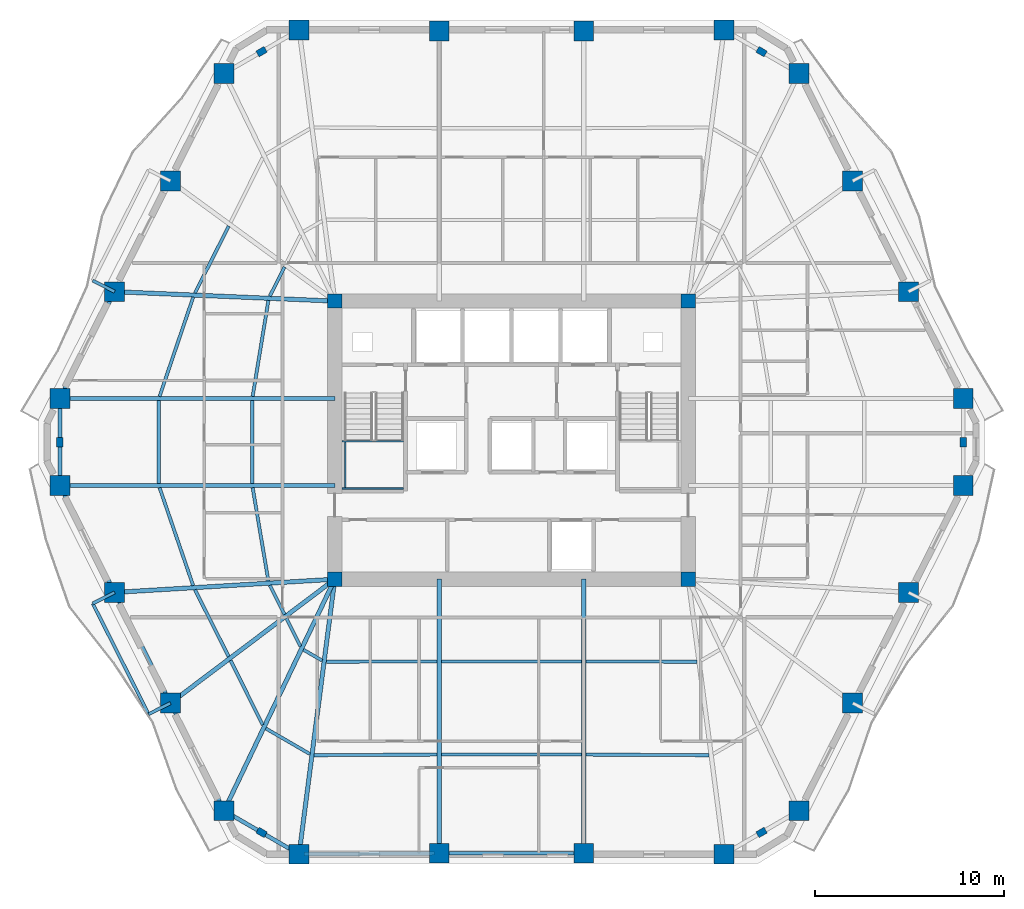
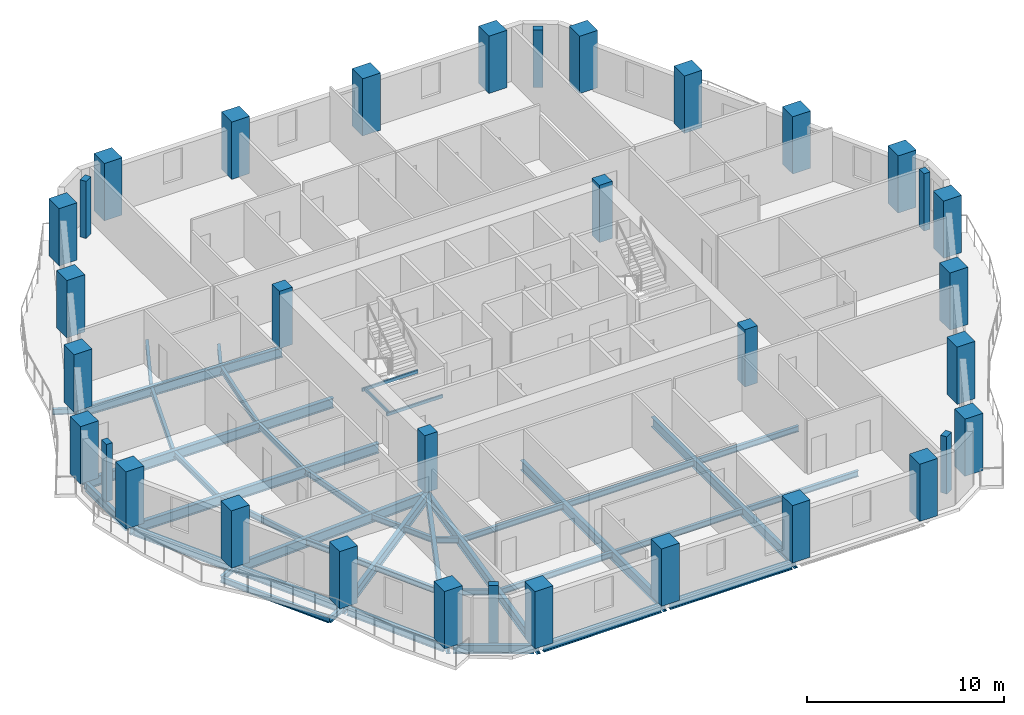
# One storey, part 1 of 11: 44 beams, 34 columns.
"""IFC4 building model written with IfcOpenShell, lengths in metres."""

import ifcopenshell
import ifcopenshell.guid

model = None  # the IFC model being written
_history = None  # IfcOwnerHistory: only IFC2X3 demands one
_inside = {}  # id of a spatial element -> (the spatial element, [elements in it])
_under = {}  # id of a project, library or spatial element -> (it, [spatial elements below it])
_declared = {}  # id of a project -> (the project, [libraries it declares])
_typed = {}  # id of a type object -> (the type object, [elements of that type])
_made_of = {}  # id of a material, layer set ... -> (it, [elements and type objects made of it])


def new_model(schema):
    """Start an empty IFC model of exactly this schema.

    Asked for "IFC4X3", IfcOpenShell would pick the latest addendum, in which some entities
    have other attributes; the version numbers below select the first issue.
    IFC2X3 requires an IfcOwnerHistory on every rooted entity: one is made here for all.
    """
    global model, _history
    if schema == "IFC4X3":
        model = ifcopenshell.file(schema_version=(4, 3, 0, 0))
    else:
        model = ifcopenshell.file(schema=schema)
    _inside.clear()
    _under.clear()
    _declared.clear()
    _typed.clear()
    _made_of.clear()
    _history = None
    if model.schema == "IFC2X3":
        org = make("IfcOrganization", Name="unknown")
        user = make(
            "IfcPersonAndOrganization",
            ThePerson=make("IfcPerson", FamilyName="unknown"),
            TheOrganization=org,
        )
        app = make(
            "IfcApplication",
            ApplicationDeveloper=org,
            Version="unknown",
            ApplicationFullName="unknown",
            ApplicationIdentifier="unknown",
        )
        _history = make(
            "IfcOwnerHistory",
            OwningUser=user,
            OwningApplication=app,
            ChangeAction="ADDED",
            CreationDate=0,
        )
    return model


def make(cls, **values):
    """One entity of the class cls with the attributes given. An attribute that is None is left unset."""
    return model.create_entity(
        cls, **{name: value for name, value in values.items() if value is not None}
    )


def rooted(cls, **values):
    """An entity with a GlobalId (a new one), such as an element, a storey or a relation."""
    return make(cls, GlobalId=ifcopenshell.guid.new(), OwnerHistory=_history, **values)


def si_unit(unit_type, name, prefix=None):
    """IfcSIUnit, for example si_unit("LENGTHUNIT", "METRE", prefix="MILLI")."""
    return make("IfcSIUnit", UnitType=unit_type, Prefix=prefix, Name=name)


def assignment(units):
    """IfcUnitAssignment: the units of a project."""
    return None if units is None else make("IfcUnitAssignment", Units=units)


def point(xyz):
    """IfcCartesianPoint."""
    return None if xyz is None else make("IfcCartesianPoint", Coordinates=xyz)


def direction(xyz):
    """IfcDirection."""
    return None if xyz is None else make("IfcDirection", DirectionRatios=xyz)


def frame(location, z_axis=None, x_axis=None):
    """IfcAxis2Placement3D, a coordinate frame: its origin and axes. An axis left out is left unset."""
    return make(
        "IfcAxis2Placement3D",
        Location=point(location),
        Axis=direction(z_axis),
        RefDirection=direction(x_axis),
    )


def frame_2d(location, x_axis=None):
    """IfcAxis2Placement2D, a coordinate frame in the plane: its origin and x axis."""
    return make(
        "IfcAxis2Placement2D", Location=point(location), RefDirection=direction(x_axis)
    )


def origin():
    """The frame at (0, 0, 0) with its axes left unset."""
    return frame((0.0, 0.0, 0.0))


def origin_2d():
    """The frame at (0, 0) in the plane with its x axis left unset."""
    return frame_2d((0.0, 0.0))


def place(relative_to, where):
    """IfcLocalPlacement: puts the frame where relative to a parent placement (None: the world)."""
    return make(
        "IfcLocalPlacement", PlacementRelTo=relative_to, RelativePlacement=where
    )


def context(
    kind, dimensions, precision=None, world=None, true_north=None, identifier=None
):
    """IfcGeometricRepresentationContext, for example the 3D "Model" context."""
    return make(
        "IfcGeometricRepresentationContext",
        ContextIdentifier=identifier,
        ContextType=kind,
        CoordinateSpaceDimension=dimensions,
        Precision=precision,
        WorldCoordinateSystem=world,
        TrueNorth=true_north,
    )


def subcontext(parent, identifier, kind, view, scale=None):
    """IfcGeometricRepresentationSubContext, for example "Body" below "Model"."""
    return make(
        "IfcGeometricRepresentationSubContext",
        ContextIdentifier=identifier,
        ContextType=kind,
        ParentContext=parent,
        TargetScale=scale,
        TargetView=view,
    )


def project(units=None, contexts=None):
    """IfcProject with its units and contexts."""
    return rooted(
        "IfcProject",
        Name="project",
        RepresentationContexts=contexts,
        UnitsInContext=assignment(units),
    )


def spatial(cls, under=None, at=None, **own):
    """A site, building, storey or space (cls), placed at a placement, below another one or the project."""
    s = rooted(cls, ObjectPlacement=at, **own)
    if under is not None:
        _under.setdefault(under.id(), (under, []))[1].append(s)
    return s


def profile(cls, at=None, kind="AREA", **sizes):
    """A parametric profile (cls). Its sizes go by their IFC names, for example OverallWidth=200.0."""
    return make(cls, ProfileType=kind, Position=at, **sizes)


def rectangle(**sizes):
    """IfcRectangleProfileDef."""
    return profile("IfcRectangleProfileDef", **sizes)


def hollow_rectangle(**sizes):
    """IfcRectangleHollowProfileDef."""
    return profile("IfcRectangleHollowProfileDef", **sizes)


def i_section(**sizes):
    """IfcIShapeProfileDef."""
    return profile("IfcIShapeProfileDef", **sizes)


def extrude(swept, where, along, depth):
    """IfcExtrudedAreaSolid: the profile swept, set in the frame where, extruded along a direction by depth."""
    return make(
        "IfcExtrudedAreaSolid",
        SweptArea=swept,
        Position=where,
        ExtrudedDirection=direction(along),
        Depth=depth,
    )


def shape(context_of_items, identifier, shape_type, items):
    """IfcShapeRepresentation: the items that make up one representation, for example the "Body"."""
    return make(
        "IfcShapeRepresentation",
        ContextOfItems=context_of_items,
        RepresentationIdentifier=identifier,
        RepresentationType=shape_type,
        Items=items,
    )


def material(Name=None, Category=None):
    """IfcMaterial."""
    return make("IfcMaterial", Name=Name, Category=Category)


def material_profile(
    of_material, cross_section, Name=None, Category=None, Priority=None
):
    """IfcMaterialProfile: a cross section and its material."""
    return make(
        "IfcMaterialProfile",
        Name=Name,
        Material=of_material,
        Profile=cross_section,
        Priority=Priority,
        Category=Category,
    )


def profile_set(profiles, Name=None, composite=None):
    """IfcMaterialProfileSet."""
    return make(
        "IfcMaterialProfileSet",
        Name=Name,
        MaterialProfiles=profiles,
        CompositeProfile=composite,
    )


def made_of(thing, what):
    """Note that an element or type object is made of a material, layer set ...; save() writes the relation."""
    if what is not None:
        _made_of.setdefault(what.id(), (what, []))[1].append(thing)
    return thing


def type_object(cls, material=None, **own):
    """A type object (cls), such as IfcWallType, which elements share."""
    return made_of(rooted(cls, **own), material)


def element(
    cls,
    number,
    at=None,
    inside=None,
    cuts=None,
    type_object=None,
    material=None,
    context=None,
    identifier="Body",
    shape_type=None,
    held_by="IfcProductDefinitionShape",
    body=None,
    shapes=None,
    **own,
):
    """One element of the class cls, such as IfcWall. Its Tag is "e" and its number.

    at: its placement. inside: the storey or other place that contains it. cuts: it is an
    opening in that element (IfcRelVoidsElement). A single representation is given by context,
    identifier, shape_type and body (its items); several are given by shapes. held_by: the class
    of the entity that holds the representations. save() writes the other relations.
    """
    e = rooted(cls, Tag="e%d" % number, ObjectPlacement=at, **own)
    if body is not None:
        shapes = [shape(context, identifier, shape_type, body)]
    if shapes is not None:
        e.Representation = make(held_by, Representations=shapes)
    if inside is not None:
        _inside.setdefault(inside.id(), (inside, []))[1].append(e)
    if cuts is not None:
        rooted(
            "IfcRelVoidsElement", RelatingBuildingElement=cuts, RelatedOpeningElement=e
        )
    if type_object is not None:
        _typed.setdefault(type_object.id(), (type_object, []))[1].append(e)
    return made_of(e, material)


def aggregate(whole, parts):
    """IfcRelAggregates: a whole, such as a stair, and the parts it consists of."""
    return rooted("IfcRelAggregates", RelatingObject=whole, RelatedObjects=parts)


def save(model, path):
    """Write the relations noted so far, then the file.

    IfcRelAggregates (storeys below a building ...), IfcRelContainedInSpatialStructure (elements
    in a storey), IfcRelDefinesByType, IfcRelAssociatesMaterial and IfcRelDeclares: one each for
    every whole, place, type object, material and project.
    """
    for whole, parts in _under.values():
        aggregate(whole, parts)
    for where, things in _inside.values():
        rooted(
            "IfcRelContainedInSpatialStructure",
            RelatedElements=things,
            RelatingStructure=where,
        )
    for kind, things in _typed.values():
        rooted("IfcRelDefinesByType", RelatedObjects=things, RelatingType=kind)
    for what, things in _made_of.values():
        rooted("IfcRelAssociatesMaterial", RelatedObjects=things, RelatingMaterial=what)
    for by, libraries in _declared.values():
        rooted("IfcRelDeclares", RelatingContext=by, RelatedDefinitions=libraries)
    model.write(path)


model = new_model("IFC4")

# Units and contexts
model_context = context("Model", 3, precision=1e-05, world=origin(), true_north=direction((0.0, 1.0)))
body_context = subcontext(model_context, "Body", "Model", "MODEL_VIEW")
ifc_project = project(units=[si_unit("LENGTHUNIT", "METRE"), si_unit("AREAUNIT", "SQUARE_METRE"), si_unit("VOLUMEUNIT", "CUBIC_METRE"), si_unit("PLANEANGLEUNIT", "RADIAN"), si_unit("MASSUNIT", "GRAM", prefix="KILO")], contexts=[model_context])

# Site, building, storey
site_placement = place(None, origin())
site = spatial("IfcSite", under=ifc_project, at=site_placement, CompositionType="ELEMENT")
building_placement = place(site_placement, origin())
building = spatial("IfcBuilding", under=site, at=building_placement, Name="Cinnabar Lancet Tower", CompositionType="ELEMENT")
storey_placement = place(building_placement, frame((0.0, 0.0, 101.949951171875)))
storey = spatial("IfcBuildingStorey", under=building, at=storey_placement, Name="L26", CompositionType="ELEMENT", Elevation=101.949951171875)

# Columns
ifc_material_1 = material(Name="Concrete C70/85", Category="concrete")
ifc_material_profile_1 = material_profile(ifc_material_1, rectangle(XDim=0.75, YDim=0.75, at=origin_2d()), Name="RC-COL 750x750")
ifc_profile_set_1 = profile_set([ifc_material_profile_1], Name="Concrete C70/85")
column_type_1 = type_object("IfcColumnType", Name="STR-COL-CORE-750", PredefinedType="COLUMN", material=ifc_profile_set_1)
for number, where, z_axis, x_axis, name in (
    (1, (23.02490234375, 18.52490234375, 0.0), (0.0, 0.0, 1.0), (1.0, 0.0, 0.0), "L26 Core Corner Column SW"),
    (2, (41.77490234375, 18.52490234375, 0.0), (0.0, 0.0, 1.0), (1.0, 0.0, 0.0), "L26 Core Corner Column SE"),
    (3, (41.77490234375, 33.27490234375, 0.0), (0.0, 0.0, 1.0), (1.0, 0.0, 0.0), "L26 Core Corner Column NE"),
    (4, (23.02490234375, 33.27490234375, 0.0), (0.0, 0.0, 1.0), (1.0, 0.0, 0.0), "L26 Core Corner Column NW"),
):
    element("IfcColumn", number, at=place(storey_placement, frame(where, z_axis=z_axis, x_axis=x_axis)), inside=storey, type_object=column_type_1, Name=name, PredefinedType="COLUMN", context=body_context, shape_type="SweptSolid", body=[
        extrude(rectangle(XDim=0.75, YDim=0.75, at=origin_2d()), origin(), (0.0, 0.0, 1.0), 3.550048828125),
    ])
ifc_material_2 = material(Name="Concrete C60/75", Category="concrete")
ifc_material_profile_2 = material_profile(ifc_material_2, rectangle(XDim=0.5, YDim=0.35009765625, at=origin_2d()), Name="RC-PIL 500x350")
ifc_profile_set_2 = profile_set([ifc_material_profile_2], Name="Concrete C60/75")
column_type_2 = type_object("IfcColumnType", Name="STR-COL-PIL-500", PredefinedType="PILASTER", material=ifc_profile_set_2)
for number, where, z_axis, x_axis, name in (
    (5, (19.14111328125, 5.093017578125, 0.0), (0.0, 0.0, 1.0), (0.865160173452, -0.501495637342, 0.0), "L26 Chamfered Corner Pilaster 1"),
    (6, (45.658935546875, 5.093017578125, 0.0), (0.0, 0.0, 1.0), (0.865160173452, 0.501495637342, 0.0), "L26 Chamfered Corner Pilaster 2"),
    (7, (56.35693359375, 25.800048828125, 0.0), (0.0, 0.0, 1.0), (0.0, 1.0, 0.0), "L26 Chamfered Corner Pilaster 3"),
    (8, (45.658935546875, 46.508056640625, 0.0), (0.0, 0.0, 1.0), (-0.865160173452, 0.501495637342, 0.0), "L26 Chamfered Corner Pilaster 4"),
    (9, (19.14111328125, 46.508056640625, 0.0), (0.0, 0.0, 1.0), (-0.865160173452, -0.501495637342, 0.0), "L26 Chamfered Corner Pilaster 5"),
    (10, (8.443115234375, 25.800048828125, 0.0), (0.0, 0.0, 1.0), (0.0, -1.0, 0.0), "L26 Chamfered Corner Pilaster 6"),
):
    element("IfcColumn", number, at=place(storey_placement, frame(where, z_axis=z_axis, x_axis=x_axis)), inside=storey, type_object=column_type_2, Name=name, PredefinedType="PILASTER", context=body_context, shape_type="SweptSolid", body=[
        extrude(rectangle(XDim=0.5, YDim=0.35009765625, at=origin_2d()), origin(), (0.0, 0.0, 1.0), 3.550048828125),
    ])
ifc_material_3 = material(Name="Concrete C70/85", Category="concrete")
ifc_material_profile_3 = material_profile(ifc_material_3, rectangle(XDim=1.050048828125, YDim=1.050048828125, at=origin_2d()), Name="RC-COL 1050x1050")
ifc_profile_set_3 = profile_set([ifc_material_profile_3], Name="Concrete C70/85")
column_type_3 = type_object("IfcColumnType", Name="STR-COL-TUBE-1050", PredefinedType="COLUMN", material=ifc_profile_set_3)
for number, where, z_axis, x_axis, name in (
    (11, (21.131103515625, 3.93896484375, 0.0), (0.0, 0.0, 1.0), (1.0, 0.0, 0.0), "L26 Perimeter Tube Column 1"),
    (12, (28.568115234375, 3.991943359375, 0.0), (0.0, 0.0, 1.0), (1.0, 0.0, 0.0), "L26 Perimeter Tube Column 2"),
    (13, (36.23193359375, 3.991943359375, 0.0), (0.0, 0.0, 1.0), (1.0, 0.0, 0.0), "L26 Perimeter Tube Column 3"),
    (14, (43.6689453125, 3.93896484375, 0.0), (0.0, 0.0, 1.0), (1.0, 0.0, 0.0), "L26 Perimeter Tube Column 4"),
    (15, (47.64892578125, 6.24609375, 0.0), (0.0, 0.0, 1.0), (1.0, 0.0, 0.0), "L26 Perimeter Tube Column 5"),
    (16, (50.489013671875, 11.955078125, 0.0), (0.0, 0.0, 1.0), (1.0, 0.0, 0.0), "L26 Perimeter Tube Column 6"),
    (17, (53.451904296875, 17.823974609375, 0.0), (0.0, 0.0, 1.0), (1.0, 0.0, 0.0), "L26 Perimeter Tube Column 7"),
    (18, (56.35693359375, 23.490966796875, 0.0), (0.0, 0.0, 1.0), (1.0, 0.0, 0.0), "L26 Perimeter Tube Column 8"),
    (19, (56.35693359375, 28.10888671875, 0.0), (0.0, 0.0, 1.0), (1.0, 0.0, 0.0), "L26 Perimeter Tube Column 9"),
    (20, (53.451904296875, 33.77587890625, 0.0), (0.0, 0.0, 1.0), (1.0, 0.0, 0.0), "L26 Perimeter Tube Column 10"),
    (21, (50.489013671875, 39.64501953125, 0.0), (0.0, 0.0, 1.0), (1.0, 0.0, 0.0), "L26 Perimeter Tube Column 11"),
    (22, (47.64892578125, 45.35400390625, 0.0), (0.0, 0.0, 1.0), (1.0, 0.0, 0.0), "L26 Perimeter Tube Column 12"),
    (23, (43.6689453125, 47.660888671875, 0.0), (0.0, 0.0, 1.0), (1.0, 0.0, 0.0), "L26 Perimeter Tube Column 13"),
    (24, (36.23193359375, 47.60791015625, 0.0), (0.0, 0.0, 1.0), (1.0, 0.0, 0.0), "L26 Perimeter Tube Column 14"),
    (25, (28.568115234375, 47.60791015625, 0.0), (0.0, 0.0, 1.0), (1.0, 0.0, 0.0), "L26 Perimeter Tube Column 15"),
    (26, (21.131103515625, 47.660888671875, 0.0), (0.0, 0.0, 1.0), (1.0, 0.0, 0.0), "L26 Perimeter Tube Column 16"),
    (27, (17.15087890625, 45.35400390625, 0.0), (0.0, 0.0, 1.0), (1.0, 0.0, 0.0), "L26 Perimeter Tube Column 17"),
    (28, (14.31103515625, 39.64501953125, 0.0), (0.0, 0.0, 1.0), (1.0, 0.0, 0.0), "L26 Perimeter Tube Column 18"),
    (29, (11.347900390625, 33.77587890625, 0.0), (0.0, 0.0, 1.0), (1.0, 0.0, 0.0), "L26 Perimeter Tube Column 19"),
    (30, (8.443115234375, 28.10888671875, 0.0), (0.0, 0.0, 1.0), (1.0, 0.0, 0.0), "L26 Perimeter Tube Column 20"),
    (31, (8.443115234375, 23.490966796875, 0.0), (0.0, 0.0, 1.0), (1.0, 0.0, 0.0), "L26 Perimeter Tube Column 21"),
    (32, (11.347900390625, 17.823974609375, 0.0), (0.0, 0.0, 1.0), (1.0, 0.0, 0.0), "L26 Perimeter Tube Column 22"),
    (33, (14.31103515625, 11.955078125, 0.0), (0.0, 0.0, 1.0), (1.0, 0.0, 0.0), "L26 Perimeter Tube Column 23"),
    (34, (17.15087890625, 6.24609375, 0.0), (0.0, 0.0, 1.0), (1.0, 0.0, 0.0), "L26 Perimeter Tube Column 24"),
):
    element("IfcColumn", number, at=place(storey_placement, frame(where, z_axis=z_axis, x_axis=x_axis)), inside=storey, type_object=column_type_3, Name=name, PredefinedType="COLUMN", context=body_context, shape_type="SweptSolid", body=[
        extrude(rectangle(XDim=1.050048828125, YDim=1.050048828125, at=origin_2d()), origin(), (0.0, 0.0, 1.0), 3.550048828125),
    ])

# Beams
ifc_material_4 = material(Name="Structural steel S355", Category="steel")
ifc_material_profile_4 = material_profile(ifc_material_4, i_section(OverallWidth=0.17138671875, OverallDepth=0.35498046875, WebThickness=0.00732421875, FlangeThickness=0.011474609375, FilletRadius=0.01025390625, at=origin_2d()), Name="UKB 356x171x51")
ifc_profile_set_4 = profile_set([ifc_material_profile_4], Name="Structural steel S355")
beam_type_1 = type_object("IfcBeamType", Name="STR-BM-JST-356", PredefinedType="JOIST", material=ifc_profile_set_4)
beam_1_placement = place(storey_placement, frame((13.73193359375, 23.376953125, -0.387939453125), z_axis=(0.324639458548, -0.945837841257, 0.0), x_axis=(0.945837841257, 0.324639458548, 0.0)))
element("IfcBeam", 35, at=beam_1_placement, inside=storey, type_object=beam_type_1, Name="L26 Secondary Floor Joist 1", PredefinedType="JOIST", context=body_context, shape_type="SweptSolid", body=[
    extrude(i_section(OverallWidth=0.17138671875, OverallDepth=0.35498046875, WebThickness=0.00732421875, FlangeThickness=0.011474609375, FilletRadius=0.01025390625, at=origin_2d()), origin(), (0.0, 0.0, 1.0), 5.486083984375),
])
beam_2_placement = place(storey_placement, frame((18.669921875, 23.376953125, -0.387939453125), z_axis=(0.165984412241, -0.986128376477, 0.0), x_axis=(0.986128376477, 0.165984412241, 0.0)))
element("IfcBeam", 36, at=beam_2_placement, inside=storey, type_object=beam_type_1, Name="L26 Secondary Floor Joist 2", PredefinedType="JOIST", context=body_context, shape_type="SweptSolid", body=[
    extrude(i_section(OverallWidth=0.17138671875, OverallDepth=0.35498046875, WebThickness=0.00732421875, FlangeThickness=0.011474609375, FilletRadius=0.01025390625, at=origin_2d()), origin(), (0.0, 0.0, 1.0), 5.0185546875),
])
beam_3_placement = place(storey_placement, frame((15.60791015625, 17.965087890625, -0.387939453125), z_axis=(0.450755070916, -0.892647671841, 0.0), x_axis=(0.892647671841, 0.450755070916, 0.0)))
element("IfcBeam", 37, at=beam_3_placement, inside=storey, type_object=beam_type_1, Name="L26 Secondary Floor Joist 3", PredefinedType="JOIST", context=body_context, shape_type="SweptSolid", body=[
    extrude(i_section(OverallWidth=0.17138671875, OverallDepth=0.35498046875, WebThickness=0.00732421875, FlangeThickness=0.011474609375, FilletRadius=0.01025390625, at=origin_2d()), origin(), (0.0, 0.0, 1.0), 3.966796875),
])
beam_4_placement = place(storey_placement, frame((19.577880859375, 18.2041015625, -0.387939453125), z_axis=(0.450874341268, -0.892587434589, 0.0), x_axis=(0.892587434589, 0.450874341268, 0.0)))
element("IfcBeam", 38, at=beam_4_placement, inside=storey, type_object=beam_type_1, Name="L26 Secondary Floor Joist 4", PredefinedType="JOIST", context=body_context, shape_type="SweptSolid", body=[
    extrude(i_section(OverallWidth=0.17138671875, OverallDepth=0.35498046875, WebThickness=0.00732421875, FlangeThickness=0.011474609375, FilletRadius=0.01025390625, at=origin_2d()), origin(), (0.0, 0.0, 1.0), 1.732177734375),
])
beam_5_placement = place(storey_placement, frame((17.5, 14.216064453125, -0.387939453125), z_axis=(0.445295120803, -0.895383859241, 0.0), x_axis=(0.895383859241, 0.445295120803, 0.0)))
element("IfcBeam", 39, at=beam_5_placement, inside=storey, type_object=beam_type_1, Name="L26 Secondary Floor Joist 5", PredefinedType="JOIST", context=body_context, shape_type="SweptSolid", body=[
    extrude(i_section(OverallWidth=0.17138671875, OverallDepth=0.35498046875, WebThickness=0.00732421875, FlangeThickness=0.011474609375, FilletRadius=0.01025390625, at=origin_2d()), origin(), (0.0, 0.0, 1.0), 3.81982421875),
])
beam_6_placement = place(storey_placement, frame((20.4619140625, 16.449951171875, -0.387939453125), z_axis=(0.445557690111, -0.895253229418, 0.0), x_axis=(0.895253229418, 0.445557690111, 0.0)))
element("IfcBeam", 40, at=beam_6_placement, inside=storey, type_object=beam_type_1, Name="L26 Secondary Floor Joist 6", PredefinedType="JOIST", context=body_context, shape_type="SweptSolid", body=[
    extrude(i_section(OverallWidth=0.17138671875, OverallDepth=0.35498046875, WebThickness=0.00732421875, FlangeThickness=0.011474609375, FilletRadius=0.01025390625, at=origin_2d()), origin(), (0.0, 0.0, 1.0), 1.652099609375),
])
beam_7_placement = place(storey_placement, frame((19.364990234375, 10.60888671875, -0.387939453125), z_axis=(0.865172906898, -0.501473669469, 0.0), x_axis=(0.501473669469, 0.865172906898, 0.0)))
element("IfcBeam", 41, at=beam_7_placement, inside=storey, type_object=beam_type_1, Name="L26 Secondary Floor Joist 7", PredefinedType="JOIST", context=body_context, shape_type="SweptSolid", body=[
    extrude(i_section(OverallWidth=0.17138671875, OverallDepth=0.35498046875, WebThickness=0.00732421875, FlangeThickness=0.011474609375, FilletRadius=0.01025390625, at=origin_2d()), origin(), (0.0, 0.0, 1.0), 2.705810546875),
])
beam_8_placement = place(storey_placement, frame((21.362060546875, 14.783935546875, -0.387939453125), z_axis=(0.865055308165, -0.501676503154, 0.0), x_axis=(0.501676503154, 0.865055308165, 0.0)))
element("IfcBeam", 42, at=beam_8_placement, inside=storey, type_object=beam_type_1, Name="L26 Secondary Floor Joist 8", PredefinedType="JOIST", context=body_context, shape_type="SweptSolid", body=[
    extrude(i_section(OverallWidth=0.17138671875, OverallDepth=0.35498046875, WebThickness=0.00732421875, FlangeThickness=0.011474609375, FilletRadius=0.01025390625, at=origin_2d()), origin(), (0.0, 0.0, 1.0), 1.14208984375),
])
beam_9_placement = place(storey_placement, frame((21.927978515625, 9.19091796875, -0.387939453125), z_axis=(0.999987991898, 0.004900618269, 0.0), x_axis=(-0.004900618269, 0.999987991898, 0.0)))
element("IfcBeam", 43, at=beam_9_placement, inside=storey, type_object=beam_type_1, Name="L26 Secondary Floor Joist 9", PredefinedType="JOIST", context=body_context, shape_type="SweptSolid", body=[
    extrude(i_section(OverallWidth=0.17138671875, OverallDepth=0.35498046875, WebThickness=0.00732421875, FlangeThickness=0.011474609375, FilletRadius=0.01025390625, at=origin_2d()), origin(), (0.0, 0.0, 1.0), 6.526123046875),
])
beam_10_placement = place(storey_placement, frame((22.572021484375, 14.14892578125, -0.387939453125), z_axis=(0.999996247906, 0.002739374605, 0.0), x_axis=(-0.002739374605, 0.999996247906, 0.0)))
element("IfcBeam", 44, at=beam_10_placement, inside=storey, type_object=beam_type_1, Name="L26 Secondary Floor Joist 10", PredefinedType="JOIST", context=body_context, shape_type="SweptSolid", body=[
    extrude(i_section(OverallWidth=0.17138671875, OverallDepth=0.35498046875, WebThickness=0.00732421875, FlangeThickness=0.011474609375, FilletRadius=0.01025390625, at=origin_2d()), origin(), (0.0, 0.0, 1.0), 5.882080078125),
])
for number, where, z_axis, x_axis, name in (
    (45, (28.681884765625, 9.22412109375, -0.387939453125), (1.0, 0.0, 0.0), (0.0, 1.0, 0.0), "L26 Secondary Floor Joist 11"),
    (46, (28.681884765625, 14.1650390625, -0.387939453125), (1.0, 0.0, 0.0), (0.0, 1.0, 0.0), "L26 Secondary Floor Joist 12"),
):
    element("IfcBeam", number, at=place(storey_placement, frame(where, z_axis=z_axis, x_axis=x_axis)), inside=storey, type_object=beam_type_1, Name=name, PredefinedType="JOIST", context=body_context, shape_type="SweptSolid", body=[
        extrude(i_section(OverallWidth=0.17138671875, OverallDepth=0.35498046875, WebThickness=0.00732421875, FlangeThickness=0.011474609375, FilletRadius=0.01025390625, at=origin_2d()), origin(), (0.0, 0.0, 1.0), 7.43603515625),
    ])
beam_11_placement = place(storey_placement, frame((36.345947265625, 9.222900390625, -0.387939453125), z_axis=(0.999987991898, -0.004900618269, 0.0), x_axis=(0.004900618269, 0.999987991898, 0.0)))
element("IfcBeam", 47, at=beam_11_placement, inside=storey, type_object=beam_type_1, Name="L26 Secondary Floor Joist 13", PredefinedType="JOIST", context=body_context, shape_type="SweptSolid", body=[
    extrude(i_section(OverallWidth=0.17138671875, OverallDepth=0.35498046875, WebThickness=0.00732421875, FlangeThickness=0.011474609375, FilletRadius=0.01025390625, at=origin_2d()), origin(), (0.0, 0.0, 1.0), 6.526123046875),
])
beam_12_placement = place(storey_placement, frame((36.345947265625, 14.1650390625, -0.387939453125), z_axis=(0.999996247906, -0.002739374605, 0.0), x_axis=(0.002739374605, 0.999996247906, 0.0)))
element("IfcBeam", 48, at=beam_12_placement, inside=storey, type_object=beam_type_1, Name="L26 Secondary Floor Joist 14", PredefinedType="JOIST", context=body_context, shape_type="SweptSolid", body=[
    extrude(i_section(OverallWidth=0.17138671875, OverallDepth=0.35498046875, WebThickness=0.00732421875, FlangeThickness=0.011474609375, FilletRadius=0.01025390625, at=origin_2d()), origin(), (0.0, 0.0, 1.0), 5.882080078125),
])
beam_13_placement = place(storey_placement, frame((17.39599609375, 37.2490234375, -0.387939453125), z_axis=(-0.450656035687, -0.892697674187, 0.0), x_axis=(0.892697674187, -0.450656035687, 0.0)))
element("IfcBeam", 49, at=beam_13_placement, inside=storey, type_object=beam_type_1, Name="L26 Secondary Floor Joist 43", PredefinedType="JOIST", context=body_context, shape_type="SweptSolid", body=[
    extrude(i_section(OverallWidth=0.17138671875, OverallDepth=0.35498046875, WebThickness=0.00732421875, FlangeThickness=0.011474609375, FilletRadius=0.01025390625, at=origin_2d()), origin(), (0.0, 0.0, 1.0), 3.9677734375),
])
beam_14_placement = place(storey_placement, frame((20.35888671875, 35.0830078125, -0.387939453125), z_axis=(-0.450931068976, -0.892558777354, 0.0), x_axis=(0.892558777354, -0.450931068976, 0.0)))
element("IfcBeam", 50, at=beam_14_placement, inside=storey, type_object=beam_type_1, Name="L26 Secondary Floor Joist 44", PredefinedType="JOIST", context=body_context, shape_type="SweptSolid", body=[
    extrude(i_section(OverallWidth=0.17138671875, OverallDepth=0.35498046875, WebThickness=0.00732421875, FlangeThickness=0.011474609375, FilletRadius=0.01025390625, at=origin_2d()), origin(), (0.0, 0.0, 1.0), 1.73193359375),
])
beam_15_placement = place(storey_placement, frame((15.513916015625, 33.48291015625, -0.387939453125), z_axis=(-0.321023911172, -0.947071089442, 0.0), x_axis=(0.947071089442, -0.321023911172, 0.0)))
element("IfcBeam", 51, at=beam_15_placement, inside=storey, type_object=beam_type_1, Name="L26 Secondary Floor Joist 45", PredefinedType="JOIST", context=body_context, shape_type="SweptSolid", body=[
    extrude(i_section(OverallWidth=0.17138671875, OverallDepth=0.35498046875, WebThickness=0.00732421875, FlangeThickness=0.011474609375, FilletRadius=0.01025390625, at=origin_2d()), origin(), (0.0, 0.0, 1.0), 5.553955078125),
])
beam_16_placement = place(storey_placement, frame((19.5029296875, 33.31201171875, -0.387939453125), z_axis=(-0.161719098977, -0.986836832017, 0.0), x_axis=(0.986836832017, -0.161719098977, 0.0)))
element("IfcBeam", 52, at=beam_16_placement, inside=storey, type_object=beam_type_1, Name="L26 Secondary Floor Joist 46", PredefinedType="JOIST", context=body_context, shape_type="SweptSolid", body=[
    extrude(i_section(OverallWidth=0.17138671875, OverallDepth=0.35498046875, WebThickness=0.00732421875, FlangeThickness=0.011474609375, FilletRadius=0.01025390625, at=origin_2d()), origin(), (0.0, 0.0, 1.0), 5.156982421875),
])
for number, where, z_axis, x_axis, name in (
    (53, (13.693115234375, 27.9951171875, -0.387939453125), (0.0, -1.0, 0.0), (1.0, 0.0, 0.0), "L26 Secondary Floor Joist 47"),
    (54, (18.64990234375, 27.9951171875, -0.387939453125), (0.0, -1.0, 0.0), (1.0, 0.0, 0.0), "L26 Secondary Floor Joist 48"),
):
    element("IfcBeam", number, at=place(storey_placement, frame(where, z_axis=z_axis, x_axis=x_axis)), inside=storey, type_object=beam_type_1, Name=name, PredefinedType="JOIST", context=body_context, shape_type="SweptSolid", body=[
        extrude(i_section(OverallWidth=0.17138671875, OverallDepth=0.35498046875, WebThickness=0.00732421875, FlangeThickness=0.011474609375, FilletRadius=0.01025390625, at=origin_2d()), origin(), (0.0, 0.0, 1.0), 4.39013671875),
    ])
ifc_material_5 = material(Name="Structural steel S355", Category="steel")
ifc_material_profile_5 = material_profile(ifc_material_5, hollow_rectangle(XDim=0.10009765625, YDim=0.199951171875, WallThickness=0.008056640625, InnerFilletRadius=0.00390625, OuterFilletRadius=0.011962890625, at=origin_2d()), Name="RHS 200x100x8")
ifc_profile_set_5 = profile_set([ifc_material_profile_5], Name="Structural steel S355")
beam_type_2 = type_object("IfcBeamType", Name="STR-BM-LND-203", PredefinedType="BEAM", material=ifc_profile_set_5)
for number, where, z_axis, x_axis, name in (
    (55, (23.39990234375, 23.330078125, 1.47509765625), (1.0, 0.0, 0.0), (0.0, 1.0, 0.0), "L26 ST-1-L26 Landing Support Beam S"),
    (56, (23.39990234375, 25.844970703125, 1.47509765625), (1.0, 0.0, 0.0), (0.0, 1.0, 0.0), "L26 ST-1-L26 Landing Support Beam N"),
):
    element("IfcBeam", number, at=place(storey_placement, frame(where, z_axis=z_axis, x_axis=x_axis)), inside=storey, type_object=beam_type_2, Name=name, PredefinedType="BEAM", context=body_context, shape_type="SweptSolid", body=[
        extrude(hollow_rectangle(XDim=0.10009765625, YDim=0.199951171875, WallThickness=0.008056640625, InnerFilletRadius=0.00390625, OuterFilletRadius=0.011962890625, at=origin_2d()), origin(), (0.0, 0.0, 1.0), 3.280029296875),
    ])
beam_17_placement = place(storey_placement, frame((23.580078125, 23.3798828125, 1.47509765625), z_axis=(0.0, 1.0, 0.0), x_axis=(-1.0, 0.0, 0.0)))
element("IfcBeam", 57, at=beam_17_placement, inside=storey, type_object=beam_type_2, Name="L26 ST-1-L26 Landing Side Trimmer Beam", PredefinedType="BEAM", context=body_context, shape_type="SweptSolid", body=[
    extrude(hollow_rectangle(XDim=0.10009765625, YDim=0.199951171875, WallThickness=0.008056640625, InnerFilletRadius=0.00390625, OuterFilletRadius=0.011962890625, at=origin_2d()), origin(), (0.0, 0.0, 1.0), 2.4150390625),
])
ifc_material_6 = material(Name="Structural steel S355", Category="steel")
ifc_material_profile_6 = material_profile(ifc_material_6, i_section(OverallWidth=0.209228515625, OverallDepth=0.533203125, WebThickness=0.010009765625, FlangeThickness=0.015625, FilletRadius=0.0126953125, at=origin_2d()), Name="UKB 533x210x92")
ifc_profile_set_6 = profile_set([ifc_material_profile_6], Name="Structural steel S355")
beam_type_3 = type_object("IfcBeamType", Name="STR-BM-SPN-533", PredefinedType="SPANDREL", material=ifc_profile_set_6)
beam_18_placement = place(storey_placement, frame((21.381103515625, 3.94091796875, -0.47705078125), z_axis=(0.999974980359, 0.007073800628, 0.0), x_axis=(-0.007073800628, 0.999974980359, 0.0)))
element("IfcBeam", 58, at=beam_18_placement, inside=storey, type_object=beam_type_3, Name="L26 Perimeter Spandrel 1", PredefinedType="SPANDREL", context=body_context, shape_type="SweptSolid", body=[
    extrude(i_section(OverallWidth=0.209228515625, OverallDepth=0.533203125, WebThickness=0.010009765625, FlangeThickness=0.015625, FilletRadius=0.0126953125, at=origin_2d()), origin(), (0.0, 0.0, 1.0), 6.937255859375),
])
beam_19_placement = place(storey_placement, frame((28.818115234375, 3.991943359375, -0.47705078125), z_axis=(1.0, 0.0, 0.0), x_axis=(0.0, 1.0, 0.0)))
element("IfcBeam", 59, at=beam_19_placement, inside=storey, type_object=beam_type_3, Name="L26 Perimeter Spandrel 2", PredefinedType="SPANDREL", context=body_context, shape_type="SweptSolid", body=[
    extrude(i_section(OverallWidth=0.209228515625, OverallDepth=0.533203125, WebThickness=0.010009765625, FlangeThickness=0.015625, FilletRadius=0.0126953125, at=origin_2d()), origin(), (0.0, 0.0, 1.0), 7.163818359375),
])
beam_20_placement = place(storey_placement, frame((11.23388671875, 33.553955078125, -0.47705078125), z_axis=(-0.456126618405, -0.889914888055, 0.0), x_axis=(0.889914888055, -0.456126618405, 0.0)))
element("IfcBeam", 60, at=beam_20_placement, inside=storey, type_object=beam_type_3, Name="L26 Perimeter Spandrel 19", PredefinedType="SPANDREL", context=body_context, shape_type="SweptSolid", body=[
    extrude(i_section(OverallWidth=0.209228515625, OverallDepth=0.533203125, WebThickness=0.010009765625, FlangeThickness=0.015625, FilletRadius=0.0126953125, at=origin_2d()), origin(), (0.0, 0.0, 1.0), 5.868896484375),
])
beam_21_placement = place(storey_placement, frame((8.443115234375, 27.85888671875, -0.47705078125), z_axis=(0.0, -1.0, 0.0), x_axis=(1.0, 0.0, 0.0)))
element("IfcBeam", 61, at=beam_21_placement, inside=storey, type_object=beam_type_3, Name="L26 Perimeter Spandrel 20", PredefinedType="SPANDREL", context=body_context, shape_type="SweptSolid", body=[
    extrude(i_section(OverallWidth=0.209228515625, OverallDepth=0.533203125, WebThickness=0.010009765625, FlangeThickness=0.015625, FilletRadius=0.0126953125, at=origin_2d()), origin(), (0.0, 0.0, 1.0), 4.117919921875),
])
beam_22_placement = place(storey_placement, frame((8.556884765625, 23.26904296875, -0.47705078125), z_axis=(0.456109733574, -0.889923542187, 0.0), x_axis=(0.889923542187, 0.456109733574, 0.0)))
element("IfcBeam", 62, at=beam_22_placement, inside=storey, type_object=beam_type_3, Name="L26 Perimeter Spandrel 21", PredefinedType="SPANDREL", context=body_context, shape_type="SweptSolid", body=[
    extrude(i_section(OverallWidth=0.209228515625, OverallDepth=0.533203125, WebThickness=0.010009765625, FlangeThickness=0.015625, FilletRadius=0.0126953125, at=origin_2d()), origin(), (0.0, 0.0, 1.0), 5.869140625),
])
beam_23_placement = place(storey_placement, frame((11.4609375, 17.60107421875, -0.47705078125), z_axis=(0.450570325924, -0.892740937449, 0.0), x_axis=(0.892740937449, 0.450570325924, 0.0)))
element("IfcBeam", 63, at=beam_23_placement, inside=storey, type_object=beam_type_3, Name="L26 Perimeter Spandrel 22", PredefinedType="SPANDREL", context=body_context, shape_type="SweptSolid", body=[
    extrude(i_section(OverallWidth=0.209228515625, OverallDepth=0.533203125, WebThickness=0.010009765625, FlangeThickness=0.015625, FilletRadius=0.0126953125, at=origin_2d()), origin(), (0.0, 0.0, 1.0), 6.07470703125),
])
beam_24_placement = place(storey_placement, frame((14.422119140625, 11.73095703125, -0.47705078125), z_axis=(0.445501068635, -0.89528140707, 0.0), x_axis=(0.89528140707, 0.445501068635, 0.0)))
element("IfcBeam", 64, at=beam_24_placement, inside=storey, type_object=beam_type_3, Name="L26 Perimeter Spandrel 23", PredefinedType="SPANDREL", context=body_context, shape_type="SweptSolid", body=[
    extrude(i_section(OverallWidth=0.209228515625, OverallDepth=0.533203125, WebThickness=0.010009765625, FlangeThickness=0.015625, FilletRadius=0.0126953125, at=origin_2d()), origin(), (0.0, 0.0, 1.0), 5.87646484375),
])
beam_25_placement = place(storey_placement, frame((17.366943359375, 6.12109375, -0.47705078125), z_axis=(0.865112299906, -0.501578217781, 0.0), x_axis=(0.501578217781, 0.865112299906, 0.0)))
element("IfcBeam", 65, at=beam_25_placement, inside=storey, type_object=beam_type_3, Name="L26 Perimeter Spandrel 24", PredefinedType="SPANDREL", context=body_context, shape_type="SweptSolid", body=[
    extrude(i_section(OverallWidth=0.209228515625, OverallDepth=0.533203125, WebThickness=0.010009765625, FlangeThickness=0.015625, FilletRadius=0.0126953125, at=origin_2d()), origin(), (0.0, 0.0, 1.0), 4.101318359375),
])
ifc_material_7 = material(Name="Structural steel S355", Category="steel")
ifc_material_profile_7 = material_profile(ifc_material_7, i_section(OverallWidth=0.228271484375, OverallDepth=0.607666015625, WebThickness=0.010986328125, FlangeThickness=0.017333984375, FilletRadius=0.0126953125, at=origin_2d()), Name="UKB 610x229x113")
ifc_profile_set_7 = profile_set([ifc_material_profile_7], Name="Structural steel S355")
beam_type_4 = type_object("IfcBeamType", Name="STR-BM-UKB610-113", PredefinedType="BEAM", material=ifc_profile_set_7)
beam_26_placement = place(storey_placement, frame((14.31103515625, 11.955078125, -0.513916015625), z_axis=(0.798483350078, 0.602016893158, 0.0), x_axis=(-0.602016893158, 0.798483350078, 0.0)))
element("IfcBeam", 66, at=beam_26_placement, inside=storey, type_object=beam_type_4, Name="L26 Corner Collector Girder 1", PredefinedType="BEAM", context=body_context, shape_type="SweptSolid", body=[
    extrude(i_section(OverallWidth=0.228271484375, OverallDepth=0.607666015625, WebThickness=0.010986328125, FlangeThickness=0.017333984375, FilletRadius=0.0126953125, at=origin_2d()), origin(), (0.0, 0.0, 1.0), 10.9130859375),
])
beam_27_placement = place(storey_placement, frame((21.131103515625, 3.93896484375, -0.513916015625), z_axis=(0.128756570002, 0.991676230269, 0.0), x_axis=(-0.991676230269, 0.128756570002, 0.0)))
element("IfcBeam", 67, at=beam_27_placement, inside=storey, type_object=beam_type_4, Name="L26 Primary Floor Girder 1", PredefinedType="BEAM", context=body_context, shape_type="SweptSolid", body=[
    extrude(i_section(OverallWidth=0.228271484375, OverallDepth=0.607666015625, WebThickness=0.010986328125, FlangeThickness=0.017333984375, FilletRadius=0.0126953125, at=origin_2d()), origin(), (0.0, 0.0, 1.0), 14.708251953125),
])
for number, where, z_axis, x_axis, name in (
    (68, (28.568115234375, 3.991943359375, -0.513916015625), (0.0, 1.0, 0.0), (-1.0, 0.0, 0.0), "L26 Primary Floor Girder 2"),
    (69, (36.23193359375, 3.991943359375, -0.513916015625), (0.0, 1.0, 0.0), (-1.0, 0.0, 0.0), "L26 Primary Floor Girder 3"),
):
    element("IfcBeam", number, at=place(storey_placement, frame(where, z_axis=z_axis, x_axis=x_axis)), inside=storey, type_object=beam_type_4, Name=name, PredefinedType="BEAM", context=body_context, shape_type="SweptSolid", body=[
        extrude(i_section(OverallWidth=0.228271484375, OverallDepth=0.607666015625, WebThickness=0.010986328125, FlangeThickness=0.017333984375, FilletRadius=0.0126953125, at=origin_2d()), origin(), (0.0, 0.0, 1.0), 14.532958984375),
    ])
beam_28_placement = place(storey_placement, frame((11.347900390625, 33.77587890625, -0.513916015625), z_axis=(0.999080941658, -0.042863411158, 0.0), x_axis=(0.042863411158, 0.999080941658, 0.0)))
element("IfcBeam", 70, at=beam_28_placement, inside=storey, type_object=beam_type_4, Name="L26 Primary Floor Girder 19", PredefinedType="BEAM", context=body_context, shape_type="SweptSolid", body=[
    extrude(i_section(OverallWidth=0.228271484375, OverallDepth=0.607666015625, WebThickness=0.010986328125, FlangeThickness=0.017333984375, FilletRadius=0.0126953125, at=origin_2d()), origin(), (0.0, 0.0, 1.0), 11.687744140625),
])
for number, where, z_axis, x_axis, name in (
    (71, (8.443115234375, 28.10888671875, -0.513916015625), (1.0, 0.0, 0.0), (0.0, 1.0, 0.0), "L26 Primary Floor Girder 20"),
    (72, (8.443115234375, 23.490966796875, -0.513916015625), (1.0, 0.0, 0.0), (0.0, 1.0, 0.0), "L26 Primary Floor Girder 21"),
):
    element("IfcBeam", number, at=place(storey_placement, frame(where, z_axis=z_axis, x_axis=x_axis)), inside=storey, type_object=beam_type_4, Name=name, PredefinedType="BEAM", context=body_context, shape_type="SweptSolid", body=[
        extrude(i_section(OverallWidth=0.228271484375, OverallDepth=0.607666015625, WebThickness=0.010986328125, FlangeThickness=0.017333984375, FilletRadius=0.0126953125, at=origin_2d()), origin(), (0.0, 0.0, 1.0), 14.581787109375),
    ])
beam_29_placement = place(storey_placement, frame((11.347900390625, 17.823974609375, -0.513916015625), z_axis=(0.998203272991, 0.059918492897, 0.0), x_axis=(-0.059918492897, 0.998203272991, 0.0)))
element("IfcBeam", 73, at=beam_29_placement, inside=storey, type_object=beam_type_4, Name="L26 Primary Floor Girder 22", PredefinedType="BEAM", context=body_context, shape_type="SweptSolid", body=[
    extrude(i_section(OverallWidth=0.228271484375, OverallDepth=0.607666015625, WebThickness=0.010986328125, FlangeThickness=0.017333984375, FilletRadius=0.0126953125, at=origin_2d()), origin(), (0.0, 0.0, 1.0), 11.697998046875),
])
beam_30_placement = place(storey_placement, frame((17.15087890625, 6.24609375, -0.513916015625), z_axis=(0.431548156881, 0.902089900339, 0.0), x_axis=(-0.902089900339, 0.431548156881, 0.0)))
element("IfcBeam", 74, at=beam_30_placement, inside=storey, type_object=beam_type_4, Name="L26 Primary Floor Girder 24", PredefinedType="BEAM", context=body_context, shape_type="SweptSolid", body=[
    extrude(i_section(OverallWidth=0.228271484375, OverallDepth=0.607666015625, WebThickness=0.010986328125, FlangeThickness=0.017333984375, FilletRadius=0.0126953125, at=origin_2d()), origin(), (0.0, 0.0, 1.0), 13.611572265625),
])
ifc_material_8 = material(Name="Structural steel S355", Category="steel")
ifc_material_profile_8 = material_profile(ifc_material_8, i_section(OverallWidth=0.17138671875, OverallDepth=0.35498046875, WebThickness=0.00732421875, FlangeThickness=0.011474609375, FilletRadius=0.01025390625, at=origin_2d()), Name="UKB 356x171x51")
ifc_profile_set_8 = profile_set([ifc_material_profile_8], Name="Structural steel S355")
beam_type_5 = type_object("IfcBeamType", Name="STR-BM-WAV-OUT", PredefinedType="BEAM", material=ifc_profile_set_8)
for number, where, z_axis, x_axis, name in (
    (75, (11.347900390625, 33.77587890625, -0.39697265625), (-0.892200264127, 0.451639998995, 0.0), (-0.451639998995, -0.892200264127, 0.0), "L26 Face 5 Balcony Outlooker B"),
    (76, (11.347900390625, 17.823974609375, -0.39697265625), (-0.89227592947, -0.451490493464, 0.0), (0.451490493464, -0.89227592947, 0.0), "L26 Face 6 Balcony Outlooker A"),
):
    element("IfcBeam", number, at=place(storey_placement, frame(where, z_axis=z_axis, x_axis=x_axis)), inside=storey, type_object=beam_type_5, Name=name, PredefinedType="BEAM", context=body_context, shape_type="SweptSolid", body=[
        extrude(i_section(OverallWidth=0.17138671875, OverallDepth=0.35498046875, WebThickness=0.00732421875, FlangeThickness=0.011474609375, FilletRadius=0.01025390625, at=origin_2d()), origin(), (0.0, 0.0, 1.0), 1.300048828125),
    ])
beam_31_placement = place(storey_placement, frame((14.31103515625, 11.955078125, -0.39697265625), z_axis=(-0.892238560088, -0.451564338597, 0.0), x_axis=(0.451564338597, -0.892238560088, 0.0)))
element("IfcBeam", 77, at=beam_31_placement, inside=storey, type_object=beam_type_5, Name="L26 Face 6 Balcony Outlooker B", PredefinedType="BEAM", context=body_context, shape_type="SweptSolid", body=[
    extrude(i_section(OverallWidth=0.17138671875, OverallDepth=0.35498046875, WebThickness=0.00732421875, FlangeThickness=0.011474609375, FilletRadius=0.01025390625, at=origin_2d()), origin(), (0.0, 0.0, 1.0), 1.30029296875),
])
ifc_material_9 = material(Name="Structural steel S355", Category="steel")
ifc_material_profile_9 = material_profile(ifc_material_9, i_section(OverallWidth=0.17138671875, OverallDepth=0.35498046875, WebThickness=0.00732421875, FlangeThickness=0.011474609375, FilletRadius=0.01025390625, at=origin_2d()), Name="UKB 356x171x51")
ifc_profile_set_9 = profile_set([ifc_material_profile_9], Name="Structural steel S355")
beam_type_6 = type_object("IfcBeamType", Name="STR-BM-WAV-TRIM", PredefinedType="SPANDREL", material=ifc_profile_set_9)
beam_32_placement = place(storey_placement, frame((10.18798828125, 17.237060546875, -0.39697265625), z_axis=(0.450656296771, -0.892697542385, 0.0), x_axis=(0.892697542385, 0.450656296771, 0.0)))
element("IfcBeam", 78, at=beam_32_placement, inside=storey, type_object=beam_type_6, Name="L26 Face 6 Balcony Edge Trimmer", PredefinedType="SPANDREL", context=body_context, shape_type="SweptSolid", body=[
    extrude(i_section(OverallWidth=0.17138671875, OverallDepth=0.35498046875, WebThickness=0.00732421875, FlangeThickness=0.011474609375, FilletRadius=0.01025390625, at=origin_2d()), origin(), (0.0, 0.0, 1.0), 6.57470703125),
])

save(model, "model.ifc")
